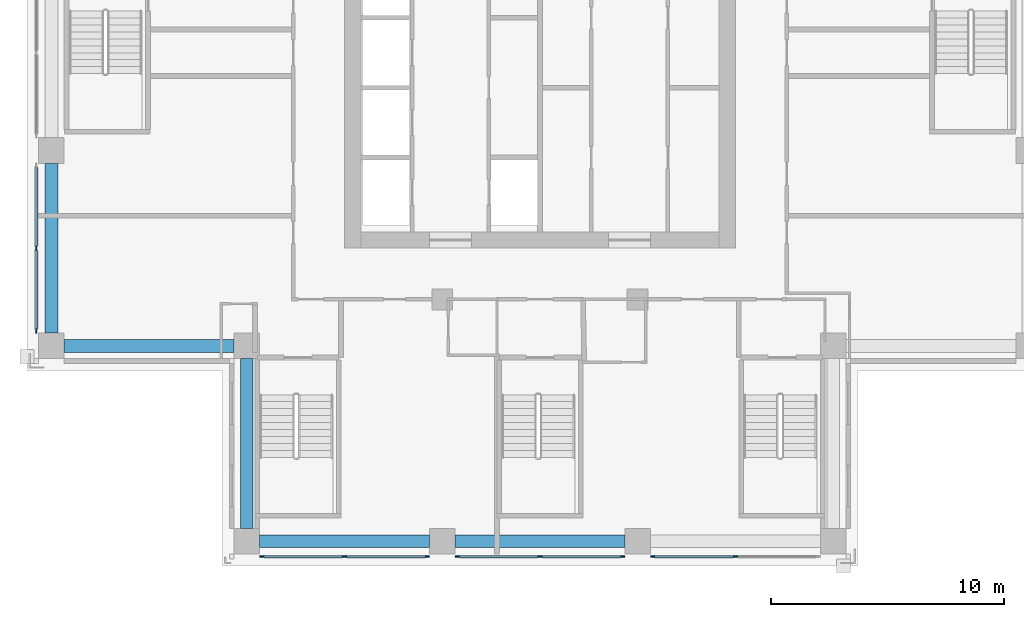
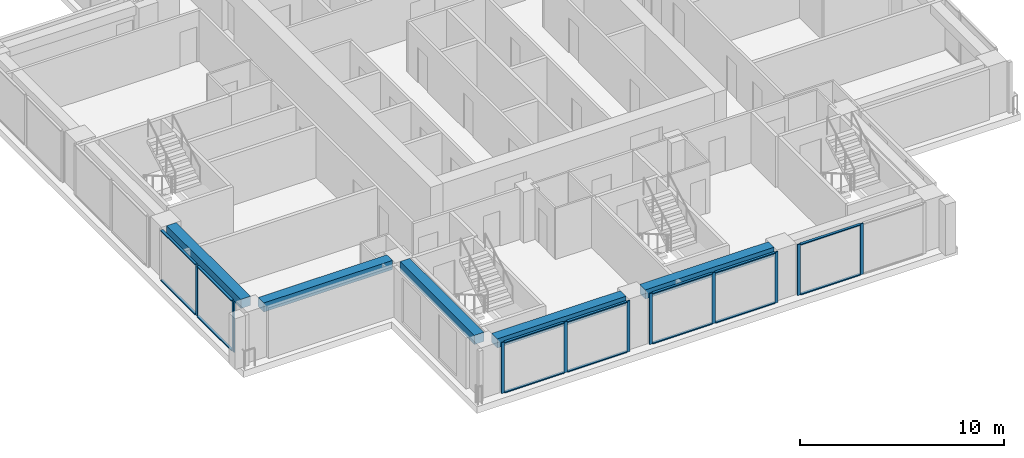
# One storey, part 2 of 16: 24 members, 5 beams, 4 elements without a shape of their own.
"""IFC4 building model written with IfcOpenShell, lengths in metres."""

from ifc_helpers import new_model, si_unit, direction, frame, origin, origin_2d, place, context, subcontext, project, spatial, rectangle, extrude, material, material_profile, profile_set, type_object, element, aggregate, save


model = new_model("IFC4")

# Units and contexts
model_context = context("Model", 3, precision=1e-05, world=origin(), true_north=direction((0.0, 1.0)))
body_context = subcontext(model_context, "Body", "Model", "MODEL_VIEW")
ifc_project = project(units=[si_unit("LENGTHUNIT", "METRE"), si_unit("AREAUNIT", "SQUARE_METRE"), si_unit("VOLUMEUNIT", "CUBIC_METRE"), si_unit("PLANEANGLEUNIT", "RADIAN"), si_unit("MASSUNIT", "GRAM", prefix="KILO")], contexts=[model_context])

# Site, building, storey
site_placement = place(None, origin())
site = spatial("IfcSite", under=ifc_project, at=site_placement, CompositionType="ELEMENT")
building_placement = place(site_placement, origin())
building = spatial("IfcBuilding", under=site, at=building_placement, Name="Vermilion Ogive Tower", CompositionType="ELEMENT")
storey_placement = place(building_placement, frame((0.0, 0.0, 136.550048828125)))
storey = spatial("IfcBuildingStorey", under=building, at=storey_placement, Name="L34", CompositionType="ELEMENT", Elevation=136.550048828125)

# Curtain wall, members
ifc_material_1 = material(Name="Low-iron laminated glazing in aluminium frame", Category="aluminium")
curtain_wall_type = type_object("IfcCurtainWallType", Name="Curtain wall CW7", PredefinedType="NOTDEFINED", material=ifc_material_1)
curtain_wall_1_placement = place(storey_placement, origin())
curtain_wall_1 = element("IfcCurtainWall", 1, at=curtain_wall_1_placement, inside=storey, type_object=curtain_wall_type, Name="Glazed skin S1", PredefinedType="NOTDEFINED")
ifc_material_2 = material(Name="Aluminium mullion", Category="aluminium")
ifc_material_profile_1 = material_profile(ifc_material_2, rectangle(XDim=0.06005859375, YDim=0.179931640625, at=origin_2d()), Name="AL 60x180")
ifc_profile_set_1 = profile_set([ifc_material_profile_1], Name="Aluminium mullion")
member_type_1 = type_object("IfcMemberType", Name="CW7 mullion 60x180", PredefinedType="MULLION", material=ifc_profile_set_1)
member_1_placement = place(storey_placement, frame((-11.9599609375, -21.64990234375, 0.0), z_axis=(0.0, 0.0, 1.0), x_axis=(0.0, 1.0, 0.0)))
member_1 = element("IfcMember", 2, at=member_1_placement, type_object=member_type_1, Name="CW7-S1 mullion 1", PredefinedType="MULLION", context=body_context, shape_type="SweptSolid", body=[
    extrude(rectangle(XDim=0.06005859375, YDim=0.179931640625, at=origin_2d()), origin(), (0.0, 0.0, 1.0), 3.050048828125),
])
member_2_placement = place(storey_placement, frame((-8.39990234375, -21.64990234375, 0.0), z_axis=(0.0, 0.0, 1.0), x_axis=(0.0, 1.0, 0.0)))
member_2 = element("IfcMember", 3, at=member_2_placement, type_object=member_type_1, Name="CW7-S1 mullion 2", PredefinedType="MULLION", context=body_context, shape_type="SweptSolid", body=[
    extrude(rectangle(XDim=0.06005859375, YDim=0.179931640625, at=origin_2d()), origin(), (0.0, 0.0, 1.0), 3.050048828125),
])
member_3_placement = place(storey_placement, frame((-4.840087890625, -21.64990234375, 0.0), z_axis=(0.0, 0.0, 1.0), x_axis=(0.0, 1.0, 0.0)))
member_3 = element("IfcMember", 4, at=member_3_placement, type_object=member_type_1, Name="CW7-S1 mullion 3", PredefinedType="MULLION", context=body_context, shape_type="SweptSolid", body=[
    extrude(rectangle(XDim=0.06005859375, YDim=0.179931640625, at=origin_2d()), origin(), (0.0, 0.0, 1.0), 3.050048828125),
])

curtain_wall_2_placement = place(storey_placement, origin())
curtain_wall_2 = element("IfcCurtainWall", 5, at=curtain_wall_2_placement, inside=storey, type_object=curtain_wall_type, Name="Glazed skin S2", PredefinedType="NOTDEFINED")
member_4_placement = place(storey_placement, frame((-3.56005859375, -21.64990234375, 0.0), z_axis=(0.0, 0.0, 1.0), x_axis=(0.0, 1.0, 0.0)))
member_4 = element("IfcMember", 6, at=member_4_placement, type_object=member_type_1, Name="CW7-S2 mullion 1", PredefinedType="MULLION", context=body_context, shape_type="SweptSolid", body=[
    extrude(rectangle(XDim=0.06005859375, YDim=0.179931640625, at=origin_2d()), origin(), (0.0, 0.0, 1.0), 3.050048828125),
])
member_5_placement = place(storey_placement, frame((0.0, -21.64990234375, 0.0), z_axis=(0.0, 0.0, 1.0), x_axis=(0.0, 1.0, 0.0)))
member_5 = element("IfcMember", 7, at=member_5_placement, type_object=member_type_1, Name="CW7-S2 mullion 2", PredefinedType="MULLION", context=body_context, shape_type="SweptSolid", body=[
    extrude(rectangle(XDim=0.06005859375, YDim=0.179931640625, at=origin_2d()), origin(), (0.0, 0.0, 1.0), 3.050048828125),
])
member_6_placement = place(storey_placement, frame((3.56005859375, -21.64990234375, 0.0), z_axis=(0.0, 0.0, 1.0), x_axis=(0.0, 1.0, 0.0)))
member_6 = element("IfcMember", 8, at=member_6_placement, type_object=member_type_1, Name="CW7-S2 mullion 3", PredefinedType="MULLION", context=body_context, shape_type="SweptSolid", body=[
    extrude(rectangle(XDim=0.06005859375, YDim=0.179931640625, at=origin_2d()), origin(), (0.0, 0.0, 1.0), 3.050048828125),
])

curtain_wall_3_placement = place(storey_placement, origin())
curtain_wall_3 = element("IfcCurtainWall", 9, at=curtain_wall_3_placement, inside=storey, type_object=curtain_wall_type, Name="Glazed skin S3", PredefinedType="NOTDEFINED")
member_7_placement = place(storey_placement, frame((4.840087890625, -21.64990234375, 0.0), z_axis=(0.0, 0.0, 1.0), x_axis=(0.0, 1.0, 0.0)))
member_7 = element("IfcMember", 10, at=member_7_placement, type_object=member_type_1, Name="CW7-S3 mullion 1", PredefinedType="MULLION", context=body_context, shape_type="SweptSolid", body=[
    extrude(rectangle(XDim=0.06005859375, YDim=0.179931640625, at=origin_2d()), origin(), (0.0, 0.0, 1.0), 3.050048828125),
])
member_8_placement = place(storey_placement, frame((8.39990234375, -21.64990234375, 0.0), z_axis=(0.0, 0.0, 1.0), x_axis=(0.0, 1.0, 0.0)))
member_8 = element("IfcMember", 11, at=member_8_placement, type_object=member_type_1, Name="CW7-S3 mullion 2", PredefinedType="MULLION", context=body_context, shape_type="SweptSolid", body=[
    extrude(rectangle(XDim=0.06005859375, YDim=0.179931640625, at=origin_2d()), origin(), (0.0, 0.0, 1.0), 3.050048828125),
])

curtain_wall_4_placement = place(storey_placement, origin())
curtain_wall_4 = element("IfcCurtainWall", 12, at=curtain_wall_4_placement, inside=storey, type_object=curtain_wall_type, Name="Glazed skin W3", PredefinedType="NOTDEFINED")
member_9_placement = place(storey_placement, frame((-21.64990234375, -8.39990234375, 0.0), z_axis=(0.0, 0.0, 1.0), x_axis=(1.0, 0.0, 0.0)))
member_9 = element("IfcMember", 13, at=member_9_placement, type_object=member_type_1, Name="CW7-W3 mullion 2", PredefinedType="MULLION", context=body_context, shape_type="SweptSolid", body=[
    extrude(rectangle(XDim=0.06005859375, YDim=0.179931640625, at=origin_2d()), origin(), (0.0, 0.0, 1.0), 3.050048828125),
])
member_10_placement = place(storey_placement, frame((-21.64990234375, -11.9599609375, 0.0), z_axis=(0.0, 0.0, 1.0), x_axis=(1.0, 0.0, 0.0)))
member_10 = element("IfcMember", 14, at=member_10_placement, type_object=member_type_1, Name="CW7-W3 mullion 3", PredefinedType="MULLION", context=body_context, shape_type="SweptSolid", body=[
    extrude(rectangle(XDim=0.06005859375, YDim=0.179931640625, at=origin_2d()), origin(), (0.0, 0.0, 1.0), 3.050048828125),
])

# Member
ifc_material_3 = material(Name="Aluminium transom", Category="aluminium")
ifc_material_profile_2 = material_profile(ifc_material_3, rectangle(XDim=0.139892578125, YDim=0.06005859375, at=origin_2d()), Name="AL 60x140")
ifc_profile_set_2 = profile_set([ifc_material_profile_2], Name="Aluminium transom")
member_type_2 = type_object("IfcMemberType", Name="CW7 transom 60x140", PredefinedType="USERDEFINED", material=ifc_profile_set_2)
member_11_placement = place(storey_placement, frame((-11.8701171875, -21.64990234375, 0.030029296875), z_axis=(1.0, 0.0, 0.0), x_axis=(0.0, 1.0, 0.0)))
member_11 = element("IfcMember", 15, at=member_11_placement, type_object=member_type_2, Name="CW7-S1 transom 1.1", ObjectType="TRANSOM", PredefinedType="USERDEFINED", context=body_context, shape_type="SweptSolid", body=[
    extrude(rectangle(XDim=0.139892578125, YDim=0.06005859375, at=origin_2d()), origin(), (0.0, 0.0, 1.0), 3.380126953125),
])

member_12_placement = place(storey_placement, frame((-11.8701171875, -21.64990234375, 3.02001953125), z_axis=(1.0, 0.0, 0.0), x_axis=(0.0, 1.0, 0.0)))
member_12 = element("IfcMember", 16, at=member_12_placement, type_object=member_type_2, Name="CW7-S1 transom 1.2", ObjectType="TRANSOM", PredefinedType="USERDEFINED", context=body_context, shape_type="SweptSolid", body=[
    extrude(rectangle(XDim=0.139892578125, YDim=0.06005859375, at=origin_2d()), origin(), (0.0, 0.0, 1.0), 3.380126953125),
])

member_13_placement = place(storey_placement, frame((-8.31005859375, -21.64990234375, 0.030029296875), z_axis=(1.0, 0.0, 0.0), x_axis=(0.0, 1.0, 0.0)))
member_13 = element("IfcMember", 17, at=member_13_placement, type_object=member_type_2, Name="CW7-S1 transom 2.1", ObjectType="TRANSOM", PredefinedType="USERDEFINED", context=body_context, shape_type="SweptSolid", body=[
    extrude(rectangle(XDim=0.139892578125, YDim=0.06005859375, at=origin_2d()), origin(), (0.0, 0.0, 1.0), 3.380126953125),
])

member_14_placement = place(storey_placement, frame((-8.31005859375, -21.64990234375, 3.02001953125), z_axis=(1.0, 0.0, 0.0), x_axis=(0.0, 1.0, 0.0)))
member_14 = element("IfcMember", 18, at=member_14_placement, type_object=member_type_2, Name="CW7-S1 transom 2.2", ObjectType="TRANSOM", PredefinedType="USERDEFINED", context=body_context, shape_type="SweptSolid", body=[
    extrude(rectangle(XDim=0.139892578125, YDim=0.06005859375, at=origin_2d()), origin(), (0.0, 0.0, 1.0), 3.380126953125),
])

aggregate(curtain_wall_1, [member_1, member_2, member_3, member_11, member_12, member_13, member_14])

member_15_placement = place(storey_placement, frame((-3.469970703125, -21.64990234375, 0.030029296875), z_axis=(1.0, 0.0, 0.0), x_axis=(0.0, 1.0, 0.0)))
member_15 = element("IfcMember", 19, at=member_15_placement, type_object=member_type_2, Name="CW7-S2 transom 1.1", ObjectType="TRANSOM", PredefinedType="USERDEFINED", context=body_context, shape_type="SweptSolid", body=[
    extrude(rectangle(XDim=0.139892578125, YDim=0.06005859375, at=origin_2d()), origin(), (0.0, 0.0, 1.0), 3.3798828125),
])

member_16_placement = place(storey_placement, frame((-3.469970703125, -21.64990234375, 3.02001953125), z_axis=(1.0, 0.0, 0.0), x_axis=(0.0, 1.0, 0.0)))
member_16 = element("IfcMember", 20, at=member_16_placement, type_object=member_type_2, Name="CW7-S2 transom 1.2", ObjectType="TRANSOM", PredefinedType="USERDEFINED", context=body_context, shape_type="SweptSolid", body=[
    extrude(rectangle(XDim=0.139892578125, YDim=0.06005859375, at=origin_2d()), origin(), (0.0, 0.0, 1.0), 3.3798828125),
])

member_17_placement = place(storey_placement, frame((0.090087890625, -21.64990234375, 0.030029296875), z_axis=(1.0, 0.0, 0.0), x_axis=(0.0, 1.0, 0.0)))
member_17 = element("IfcMember", 21, at=member_17_placement, type_object=member_type_2, Name="CW7-S2 transom 2.1", ObjectType="TRANSOM", PredefinedType="USERDEFINED", context=body_context, shape_type="SweptSolid", body=[
    extrude(rectangle(XDim=0.139892578125, YDim=0.06005859375, at=origin_2d()), origin(), (0.0, 0.0, 1.0), 3.3798828125),
])

member_18_placement = place(storey_placement, frame((0.090087890625, -21.64990234375, 3.02001953125), z_axis=(1.0, 0.0, 0.0), x_axis=(0.0, 1.0, 0.0)))
member_18 = element("IfcMember", 22, at=member_18_placement, type_object=member_type_2, Name="CW7-S2 transom 2.2", ObjectType="TRANSOM", PredefinedType="USERDEFINED", context=body_context, shape_type="SweptSolid", body=[
    extrude(rectangle(XDim=0.139892578125, YDim=0.06005859375, at=origin_2d()), origin(), (0.0, 0.0, 1.0), 3.3798828125),
])

aggregate(curtain_wall_2, [member_4, member_5, member_6, member_15, member_16, member_17, member_18])

member_19_placement = place(storey_placement, frame((4.929931640625, -21.64990234375, 0.030029296875), z_axis=(1.0, 0.0, 0.0), x_axis=(0.0, 1.0, 0.0)))
member_19 = element("IfcMember", 23, at=member_19_placement, type_object=member_type_2, Name="CW7-S3 transom 1.1", ObjectType="TRANSOM", PredefinedType="USERDEFINED", context=body_context, shape_type="SweptSolid", body=[
    extrude(rectangle(XDim=0.139892578125, YDim=0.06005859375, at=origin_2d()), origin(), (0.0, 0.0, 1.0), 3.380126953125),
])

member_20_placement = place(storey_placement, frame((4.929931640625, -21.64990234375, 3.02001953125), z_axis=(1.0, 0.0, 0.0), x_axis=(0.0, 1.0, 0.0)))
member_20 = element("IfcMember", 24, at=member_20_placement, type_object=member_type_2, Name="CW7-S3 transom 1.2", ObjectType="TRANSOM", PredefinedType="USERDEFINED", context=body_context, shape_type="SweptSolid", body=[
    extrude(rectangle(XDim=0.139892578125, YDim=0.06005859375, at=origin_2d()), origin(), (0.0, 0.0, 1.0), 3.380126953125),
])

aggregate(curtain_wall_3, [member_7, member_8, member_19, member_20])

member_21_placement = place(storey_placement, frame((-21.64990234375, -4.929931640625, 0.030029296875), z_axis=(0.0, -1.0, 0.0), x_axis=(1.0, 0.0, 0.0)))
member_21 = element("IfcMember", 25, at=member_21_placement, type_object=member_type_2, Name="CW7-W3 transom 1.1", ObjectType="TRANSOM", PredefinedType="USERDEFINED", context=body_context, shape_type="SweptSolid", body=[
    extrude(rectangle(XDim=0.139892578125, YDim=0.06005859375, at=origin_2d()), origin(), (0.0, 0.0, 1.0), 3.380126953125),
])

member_22_placement = place(storey_placement, frame((-21.64990234375, -4.929931640625, 3.02001953125), z_axis=(0.0, -1.0, 0.0), x_axis=(1.0, 0.0, 0.0)))
member_22 = element("IfcMember", 26, at=member_22_placement, type_object=member_type_2, Name="CW7-W3 transom 1.2", ObjectType="TRANSOM", PredefinedType="USERDEFINED", context=body_context, shape_type="SweptSolid", body=[
    extrude(rectangle(XDim=0.139892578125, YDim=0.06005859375, at=origin_2d()), origin(), (0.0, 0.0, 1.0), 3.380126953125),
])

member_23_placement = place(storey_placement, frame((-21.64990234375, -8.489990234375, 0.030029296875), z_axis=(0.0, -1.0, 0.0), x_axis=(1.0, 0.0, 0.0)))
member_23 = element("IfcMember", 27, at=member_23_placement, type_object=member_type_2, Name="CW7-W3 transom 2.1", ObjectType="TRANSOM", PredefinedType="USERDEFINED", context=body_context, shape_type="SweptSolid", body=[
    extrude(rectangle(XDim=0.139892578125, YDim=0.06005859375, at=origin_2d()), origin(), (0.0, 0.0, 1.0), 3.380126953125),
])

member_24_placement = place(storey_placement, frame((-21.64990234375, -8.489990234375, 3.02001953125), z_axis=(0.0, -1.0, 0.0), x_axis=(1.0, 0.0, 0.0)))
member_24 = element("IfcMember", 28, at=member_24_placement, type_object=member_type_2, Name="CW7-W3 transom 2.2", ObjectType="TRANSOM", PredefinedType="USERDEFINED", context=body_context, shape_type="SweptSolid", body=[
    extrude(rectangle(XDim=0.139892578125, YDim=0.06005859375, at=origin_2d()), origin(), (0.0, 0.0, 1.0), 3.380126953125),
])

aggregate(curtain_wall_4, [member_9, member_10, member_21, member_22, member_23, member_24])

# Beams
ifc_material_4 = material(Name="Concrete B45", Category="concrete")
ifc_material_profile_3 = material_profile(ifc_material_4, rectangle(XDim=0.550048828125, YDim=0.550048828125, at=origin_2d()), Name="550 x 550")
ifc_profile_set_3 = profile_set([ifc_material_profile_3], Name="Concrete B45")
beam_type = type_object("IfcBeamType", Name="Edge beam 550 x 550 B45", PredefinedType="BEAM", material=ifc_profile_set_3)
beam_1_placement = place(storey_placement, frame((-12.050048828125, -21.0, 2.77490234375), z_axis=(1.0, 0.0, 0.0), x_axis=(0.0, 1.0, 0.0)))
element("IfcBeam", 29, at=beam_1_placement, inside=storey, type_object=beam_type, Name="L34-EB-1", PredefinedType="BEAM", context=body_context, shape_type="SweptSolid", body=[
    extrude(rectangle(XDim=0.550048828125, YDim=0.550048828125, at=origin_2d()), origin(), (0.0, 0.0, 1.0), 7.300048828125),
])
beam_2_placement = place(storey_placement, frame((-3.64990234375, -21.0, 2.77490234375), z_axis=(1.0, 0.0, 0.0), x_axis=(0.0, 1.0, 0.0)))
element("IfcBeam", 30, at=beam_2_placement, inside=storey, type_object=beam_type, Name="L34-EB-2", PredefinedType="BEAM", context=body_context, shape_type="SweptSolid", body=[
    extrude(rectangle(XDim=0.550048828125, YDim=0.550048828125, at=origin_2d()), origin(), (0.0, 0.0, 1.0), 7.2998046875),
])
for number, where, z_axis, x_axis, name in (
    (31, (-21.0, -4.75, 2.77490234375), (0.0, -1.0, 0.0), (1.0, 0.0, 0.0), "L34-EB-15"),
    (32, (-20.449951171875, -12.60009765625, 2.77490234375), (1.0, 0.0, 0.0), (0.0, 1.0, 0.0), "L34-EB-16"),
    (33, (-12.60009765625, -13.14990234375, 2.77490234375), (0.0, -1.0, 0.0), (1.0, 0.0, 0.0), "L34-EB-17"),
):
    element("IfcBeam", number, at=place(storey_placement, frame(where, z_axis=z_axis, x_axis=x_axis)), inside=storey, type_object=beam_type, Name=name, PredefinedType="BEAM", context=body_context, shape_type="SweptSolid", body=[
        extrude(rectangle(XDim=0.550048828125, YDim=0.550048828125, at=origin_2d()), origin(), (0.0, 0.0, 1.0), 7.300048828125),
    ])

save(model, "model.ifc")
